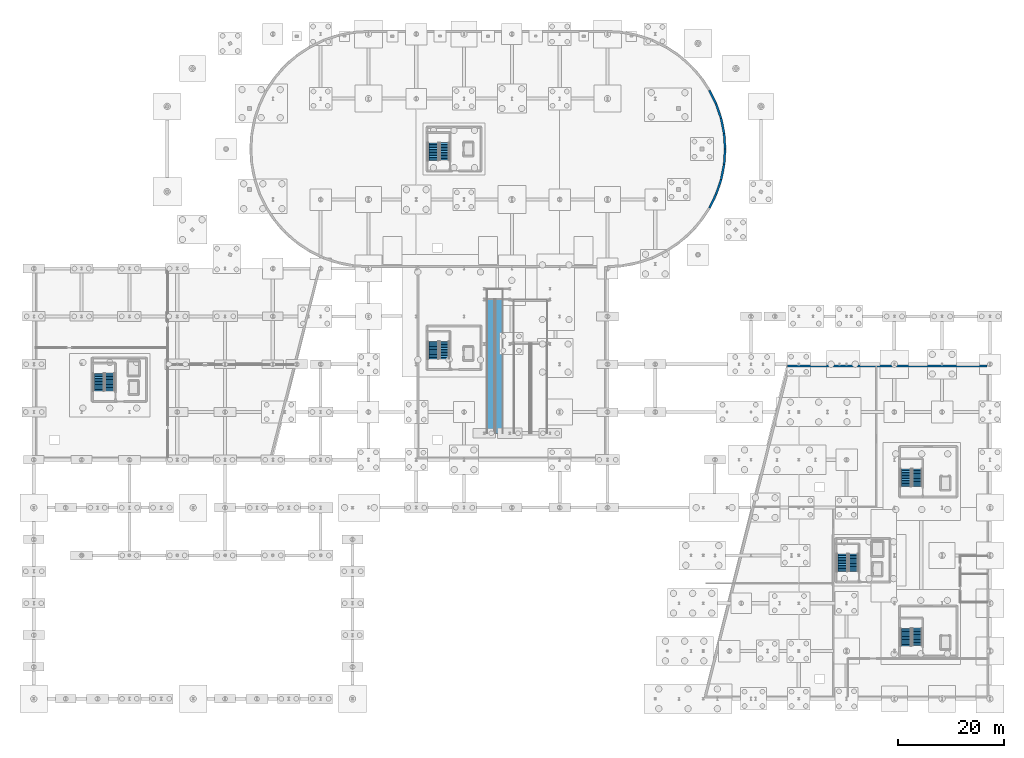
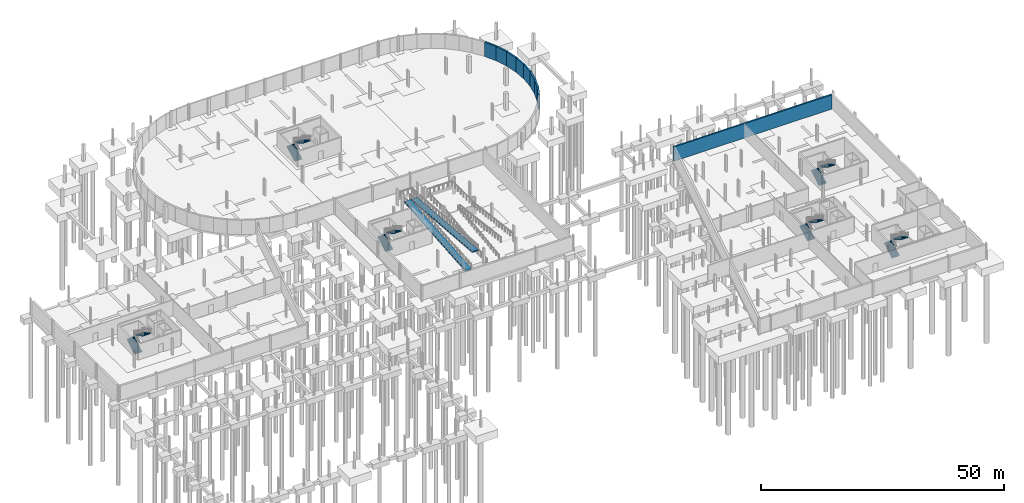
# One storey, part 39 of 42: 12 stair flights, 9 walls, 2 ramp flights, 7 elements without a shape of their own.
"""IFC4 building model written with IfcOpenShell, lengths in metres."""

from ifc_helpers import new_model, si_unit, direction, frame, frame_2d, origin, place, context, subcontext, project, spatial, polyline, rectangle, outline, extrude, material, layer, layer_set, type_object, element, aggregate, save


model = new_model("IFC4")

# Units and contexts
model_context = context("Model", 3, precision=1e-05, world=origin(), true_north=direction((0.0, 1.0)))
body_context = subcontext(model_context, "Body", "Model", "MODEL_VIEW")
ifc_project = project(units=[si_unit("LENGTHUNIT", "METRE"), si_unit("AREAUNIT", "SQUARE_METRE"), si_unit("VOLUMEUNIT", "CUBIC_METRE"), si_unit("PLANEANGLEUNIT", "RADIAN"), si_unit("MASSUNIT", "GRAM", prefix="KILO")], contexts=[model_context])

# Site, building, storey
site_placement = place(None, origin())
site = spatial("IfcSite", under=ifc_project, at=site_placement, CompositionType="ELEMENT")
building_placement = place(site_placement, origin())
building = spatial("IfcBuilding", under=site, at=building_placement, Name="Deido Ridge Mobility Hub", CompositionType="ELEMENT")
storey_placement = place(building_placement, frame((0.0, 0.0, -4.199951171875)))
storey = spatial("IfcBuildingStorey", under=building, at=storey_placement, Name="B1", CompositionType="ELEMENT", Elevation=-4.199951171875)

# Walls
ifc_material_1 = material(Name="Concrete C40/50", Category="concrete")
ifc_layer_1 = layer(ifc_material_1, 0.3798828125, Name="Concrete C40/50")
ifc_layer_set_1 = layer_set([ifc_layer_1], Name="Concrete C40/50")
wall_type = type_object("IfcWallType", Name="WL-RET-RC-380", PredefinedType="USERDEFINED", material=ifc_layer_set_1)
wall_1_placement = place(storey_placement, frame((141.909912109375, 62.64990234375, 0.0), z_axis=(0.0, 0.0, 1.0), x_axis=(1.0, 0.0, 0.0)))
element("IfcWall", 1, at=wall_1_placement, inside=storey, type_object=wall_type, Name="Basement perimeter retaining wall", ObjectType="RETAINING WALL", PredefinedType="USERDEFINED", context=body_context, shape_type="SweptSolid", body=[
    extrude(rectangle(XDim=37.530029296875, YDim=0.3798828125, at=frame_2d((18.76513671875, 0.0))), origin(), (0.0, 0.0, 1.0), 3.599853515625),
])
for number, where, z_axis, x_axis, name in (
    (2, (127.1826171875, 92.425048828125, 0.0), (0.0, 0.0, 1.0), (0.44221820297, 0.896907498554, 0.0), "Basement drum retaining wall"),
    (3, (128.4638671875, 95.023681640625, 0.0), (0.0, 0.0, 1.0), (0.321481211852, 0.946915957425, 0.0), "Basement drum retaining wall"),
):
    element("IfcWall", number, at=place(storey_placement, frame(where, z_axis=z_axis, x_axis=x_axis)), inside=storey, type_object=wall_type, Name=name, ObjectType="RETAINING WALL", PredefinedType="USERDEFINED", context=body_context, shape_type="SweptSolid", body=[
        extrude(rectangle(XDim=2.897216796875, YDim=0.3798828125, at=frame_2d((1.44873046875, 0.0))), origin(), (0.0, 0.0, 1.0), 3.599853515625),
    ])
wall_2_placement = place(storey_placement, frame((129.395263671875, 97.76708984375, 0.0), z_axis=(0.0, 0.0, 1.0), x_axis=(0.195062767323, 0.98079076097, 0.0)))
element("IfcWall", 4, at=wall_2_placement, inside=storey, type_object=wall_type, Name="Basement drum retaining wall", ObjectType="RETAINING WALL", PredefinedType="USERDEFINED", context=body_context, shape_type="SweptSolid", body=[
    extrude(rectangle(XDim=2.8974609375, YDim=0.3798828125, at=frame_2d((1.44873046875, 0.0))), origin(), (0.0, 0.0, 1.0), 3.599853515625),
])
for number, where, z_axis, x_axis, name in (
    (5, (129.96044921875, 100.60888671875, 0.0), (0.0, 0.0, 1.0), (0.065389227447, 0.997859834312, 0.0), "Basement drum retaining wall"),
    (6, (130.14990234375, 103.5, 0.0), (0.0, 0.0, 1.0), (-0.065389227447, 0.997859834312, 0.0), "Basement drum retaining wall"),
):
    element("IfcWall", number, at=place(storey_placement, frame(where, z_axis=z_axis, x_axis=x_axis)), inside=storey, type_object=wall_type, Name=name, ObjectType="RETAINING WALL", PredefinedType="USERDEFINED", context=body_context, shape_type="SweptSolid", body=[
        extrude(rectangle(XDim=2.897216796875, YDim=0.3798828125, at=frame_2d((1.44873046875, 0.0))), origin(), (0.0, 0.0, 1.0), 3.599853515625),
    ])
wall_3_placement = place(storey_placement, frame((129.96044921875, 106.39111328125, 0.0), z_axis=(0.0, 0.0, 1.0), x_axis=(-0.195062767323, 0.98079076097, 0.0)))
element("IfcWall", 7, at=wall_3_placement, inside=storey, type_object=wall_type, Name="Basement drum retaining wall", ObjectType="RETAINING WALL", PredefinedType="USERDEFINED", context=body_context, shape_type="SweptSolid", body=[
    extrude(rectangle(XDim=2.8974609375, YDim=0.3798828125, at=frame_2d((1.44873046875, 0.0))), origin(), (0.0, 0.0, 1.0), 3.599853515625),
])
for number, where, z_axis, x_axis, name in (
    (8, (129.395263671875, 109.23291015625, 0.0), (0.0, 0.0, 1.0), (-0.321481211852, 0.946915957425, 0.0), "Basement drum retaining wall"),
    (9, (128.4638671875, 111.976318359375, 0.0), (0.0, 0.0, 1.0), (-0.44221820297, 0.896907498554, 0.0), "Basement drum retaining wall"),
):
    element("IfcWall", number, at=place(storey_placement, frame(where, z_axis=z_axis, x_axis=x_axis)), inside=storey, type_object=wall_type, Name=name, ObjectType="RETAINING WALL", PredefinedType="USERDEFINED", context=body_context, shape_type="SweptSolid", body=[
        extrude(rectangle(XDim=2.897216796875, YDim=0.3798828125, at=frame_2d((1.44873046875, 0.0))), origin(), (0.0, 0.0, 1.0), 3.599853515625),
    ])

# Stair, stair flights
ifc_material_2 = material(Name="Concrete C35/45", Category="concrete")
stair_type_1 = type_object("IfcStairType", Name="ST-CORE-HALF-1520", PredefinedType="HALF_TURN_STAIR", material=ifc_material_2)
stair_1_placement = place(storey_placement, origin())
stair_1 = element("IfcStair", 10, at=stair_1_placement, inside=storey, type_object=stair_type_1, Name="Protected exit stair ST2 (B1)", PredefinedType="HALF_TURN_STAIR")
stair_flight_type_1 = type_object("IfcStairFlightType", Name="SFL-RC-1520", PredefinedType="STRAIGHT", material=ifc_material_2)
stair_flight_1_placement = place(storey_placement, frame((164.2900390625, 39.949951171875, 0.0), z_axis=(0.0, 0.0, 1.0), x_axis=(0.0, 1.0, 0.0)))
stair_flight_1 = element("IfcStairFlight", 11, at=stair_flight_1_placement, type_object=stair_flight_type_1, Name="ST2 flight 1", NumberOfRisers=12, NumberOfTreads=11, PredefinedType="STRAIGHT", RiserHeight=0.175, TreadLength=0.3, context=body_context, shape_type="SweptSolid", body=[
    extrude(outline(polyline([(0.0, 0.0), (0.0, 0.175048828125), (0.300048828125, 0.175048828125), (0.300048828125, 0.35009765625), (0.60009765625, 0.35009765625), (0.60009765625, 0.52490234375), (0.89990234375, 0.52490234375), (0.89990234375, 0.699951171875), (1.199951171875, 0.699951171875), (1.199951171875, 0.875), (1.5, 0.875), (1.5, 1.050048828125), (1.800048828125, 1.050048828125), (1.800048828125, 1.22509765625), (2.10009765625, 1.22509765625), (2.10009765625, 1.39990234375), (2.39990234375, 1.39990234375), (2.39990234375, 1.574951171875), (2.699951171875, 1.574951171875), (2.699951171875, 1.75), (3.0, 1.75), (3.0, 1.925048828125), (3.300048828125, 1.925048828125), (3.300048828125, 2.10009765625), (3.300048828125, 1.716796875), (0.357177734375, 0.0), (0.0, 0.0)])), frame((0.0, 0.89013671875, 0.0), z_axis=(0.0, -1.0, 0.0), x_axis=(1.0, 0.0, 0.0)), (0.0, 0.0, 1.0), 1.780029296875),
])
stair_flight_2_placement = place(storey_placement, frame((166.31005859375, 43.300048828125, 2.099853515625), z_axis=(0.0, 0.0, 1.0), x_axis=(0.0, -1.0, 0.0)))
stair_flight_2 = element("IfcStairFlight", 12, at=stair_flight_2_placement, type_object=stair_flight_type_1, Name="ST2 flight 2", NumberOfRisers=12, NumberOfTreads=11, PredefinedType="STRAIGHT", RiserHeight=0.175, TreadLength=0.3, context=body_context, shape_type="SweptSolid", body=[
    extrude(outline(polyline([(0.0, 0.0), (0.0, 0.175048828125), (0.300048828125, 0.175048828125), (0.300048828125, 0.35009765625), (0.60009765625, 0.35009765625), (0.60009765625, 0.52490234375), (0.89990234375, 0.52490234375), (0.89990234375, 0.699951171875), (1.199951171875, 0.699951171875), (1.199951171875, 0.875), (1.5, 0.875), (1.5, 1.050048828125), (1.800048828125, 1.050048828125), (1.800048828125, 1.22509765625), (2.10009765625, 1.22509765625), (2.10009765625, 1.39990234375), (2.39990234375, 1.39990234375), (2.39990234375, 1.574951171875), (2.699951171875, 1.574951171875), (2.699951171875, 1.75), (3.0, 1.75), (3.0, 1.925048828125), (3.300048828125, 1.925048828125), (3.300048828125, 2.10009765625), (3.300048828125, 1.716796875), (0.357177734375, 0.0), (0.0, 0.0)])), frame((0.0, 0.89013671875, 0.0), z_axis=(0.0, -1.0, 0.0), x_axis=(1.0, 0.0, 0.0)), (0.0, 0.0, 1.0), 1.780029296875),
])
aggregate(stair_1, [stair_flight_1, stair_flight_2])

stair_2_placement = place(storey_placement, origin())
stair_2 = element("IfcStair", 13, at=stair_2_placement, inside=storey, type_object=stair_type_1, Name="Protected exit stair ST3 (B1)", PredefinedType="HALF_TURN_STAIR")
stair_flight_3_placement = place(storey_placement, frame((152.2900390625, 23.949951171875, 0.0), z_axis=(0.0, 0.0, 1.0), x_axis=(0.0, 1.0, 0.0)))
stair_flight_3 = element("IfcStairFlight", 14, at=stair_flight_3_placement, type_object=stair_flight_type_1, Name="ST3 flight 1", NumberOfRisers=12, NumberOfTreads=11, PredefinedType="STRAIGHT", RiserHeight=0.175, TreadLength=0.3, context=body_context, shape_type="SweptSolid", body=[
    extrude(outline(polyline([(0.0, 0.0), (0.0, 0.175048828125), (0.300048828125, 0.175048828125), (0.300048828125, 0.35009765625), (0.60009765625, 0.35009765625), (0.60009765625, 0.52490234375), (0.89990234375, 0.52490234375), (0.89990234375, 0.699951171875), (1.199951171875, 0.699951171875), (1.199951171875, 0.875), (1.5, 0.875), (1.5, 1.050048828125), (1.800048828125, 1.050048828125), (1.800048828125, 1.22509765625), (2.10009765625, 1.22509765625), (2.10009765625, 1.39990234375), (2.39990234375, 1.39990234375), (2.39990234375, 1.574951171875), (2.699951171875, 1.574951171875), (2.699951171875, 1.75), (3.0, 1.75), (3.0, 1.925048828125), (3.300048828125, 1.925048828125), (3.300048828125, 2.10009765625), (3.300048828125, 1.716796875), (0.357177734375, 0.0), (0.0, 0.0)])), frame((0.0, 0.89013671875, 0.0), z_axis=(0.0, -1.0, 0.0), x_axis=(1.0, 0.0, 0.0)), (0.0, 0.0, 1.0), 1.780029296875),
])
stair_flight_4_placement = place(storey_placement, frame((154.31005859375, 27.300048828125, 2.099853515625), z_axis=(0.0, 0.0, 1.0), x_axis=(0.0, -1.0, 0.0)))
stair_flight_4 = element("IfcStairFlight", 15, at=stair_flight_4_placement, type_object=stair_flight_type_1, Name="ST3 flight 2", NumberOfRisers=12, NumberOfTreads=11, PredefinedType="STRAIGHT", RiserHeight=0.175, TreadLength=0.3, context=body_context, shape_type="SweptSolid", body=[
    extrude(outline(polyline([(0.0, 0.0), (0.0, 0.175048828125), (0.300048828125, 0.175048828125), (0.300048828125, 0.35009765625), (0.60009765625, 0.35009765625), (0.60009765625, 0.52490234375), (0.89990234375, 0.52490234375), (0.89990234375, 0.699951171875), (1.199951171875, 0.699951171875), (1.199951171875, 0.875), (1.5, 0.875), (1.5, 1.050048828125), (1.800048828125, 1.050048828125), (1.800048828125, 1.22509765625), (2.10009765625, 1.22509765625), (2.10009765625, 1.39990234375), (2.39990234375, 1.39990234375), (2.39990234375, 1.574951171875), (2.699951171875, 1.574951171875), (2.699951171875, 1.75), (3.0, 1.75), (3.0, 1.925048828125), (3.300048828125, 1.925048828125), (3.300048828125, 2.10009765625), (3.300048828125, 1.716796875), (0.357177734375, 0.0), (0.0, 0.0)])), frame((0.0, 0.89013671875, 0.0), z_axis=(0.0, -1.0, 0.0), x_axis=(1.0, 0.0, 0.0)), (0.0, 0.0, 1.0), 1.780029296875),
])
aggregate(stair_2, [stair_flight_3, stair_flight_4])

stair_type_2 = type_object("IfcStairType", Name="ST-CORE-DBL-1520", PredefinedType="DOUBLE_RETURN_STAIR", material=ifc_material_2)
stair_3_placement = place(storey_placement, origin())
stair_3 = element("IfcStair", 16, at=stair_3_placement, inside=storey, type_object=stair_type_2, Name="Protected exit stair ST4 (B1)", PredefinedType="DOUBLE_RETURN_STAIR")
stair_flight_5_placement = place(storey_placement, frame((75.2900390625, 63.949951171875, 0.0), z_axis=(0.0, 0.0, 1.0), x_axis=(0.0, 1.0, 0.0)))
stair_flight_5 = element("IfcStairFlight", 17, at=stair_flight_5_placement, type_object=stair_flight_type_1, Name="ST4 flight 1", NumberOfRisers=12, NumberOfTreads=11, PredefinedType="STRAIGHT", RiserHeight=0.175, TreadLength=0.3, context=body_context, shape_type="SweptSolid", body=[
    extrude(outline(polyline([(0.0, 0.0), (0.0, 0.175048828125), (0.300048828125, 0.175048828125), (0.300048828125, 0.35009765625), (0.60009765625, 0.35009765625), (0.60009765625, 0.52490234375), (0.89990234375, 0.52490234375), (0.89990234375, 0.699951171875), (1.199951171875, 0.699951171875), (1.199951171875, 0.875), (1.5, 0.875), (1.5, 1.050048828125), (1.800048828125, 1.050048828125), (1.800048828125, 1.22509765625), (2.10009765625, 1.22509765625), (2.10009765625, 1.39990234375), (2.39990234375, 1.39990234375), (2.39990234375, 1.574951171875), (2.699951171875, 1.574951171875), (2.699951171875, 1.75), (3.0, 1.75), (3.0, 1.925048828125), (3.300048828125, 1.925048828125), (3.300048828125, 2.10009765625), (3.300048828125, 1.716796875), (0.357177734375, 0.0), (0.0, 0.0)])), frame((0.0, 0.89013671875, 0.0), z_axis=(0.0, -1.0, 0.0), x_axis=(1.0, 0.0, 0.0)), (0.0, 0.0, 1.0), 1.780029296875),
])
stair_flight_6_placement = place(storey_placement, frame((77.31005859375, 67.300048828125, 2.099853515625), z_axis=(0.0, 0.0, 1.0), x_axis=(0.0, -1.0, 0.0)))
stair_flight_6 = element("IfcStairFlight", 18, at=stair_flight_6_placement, type_object=stair_flight_type_1, Name="ST4 flight 2", NumberOfRisers=12, NumberOfTreads=11, PredefinedType="STRAIGHT", RiserHeight=0.175, TreadLength=0.3, context=body_context, shape_type="SweptSolid", body=[
    extrude(outline(polyline([(0.0, 0.0), (0.0, 0.175048828125), (0.300048828125, 0.175048828125), (0.300048828125, 0.35009765625), (0.60009765625, 0.35009765625), (0.60009765625, 0.52490234375), (0.89990234375, 0.52490234375), (0.89990234375, 0.699951171875), (1.199951171875, 0.699951171875), (1.199951171875, 0.875), (1.5, 0.875), (1.5, 1.050048828125), (1.800048828125, 1.050048828125), (1.800048828125, 1.22509765625), (2.10009765625, 1.22509765625), (2.10009765625, 1.39990234375), (2.39990234375, 1.39990234375), (2.39990234375, 1.574951171875), (2.699951171875, 1.574951171875), (2.699951171875, 1.75), (3.0, 1.75), (3.0, 1.925048828125), (3.300048828125, 1.925048828125), (3.300048828125, 2.10009765625), (3.300048828125, 1.716796875), (0.357177734375, 0.0), (0.0, 0.0)])), frame((0.0, 0.89013671875, 0.0), z_axis=(0.0, -1.0, 0.0), x_axis=(1.0, 0.0, 0.0)), (0.0, 0.0, 1.0), 1.780029296875),
])
aggregate(stair_3, [stair_flight_5, stair_flight_6])

stair_4_placement = place(storey_placement, origin())
stair_4 = element("IfcStair", 19, at=stair_4_placement, inside=storey, type_object=stair_type_2, Name="Protected exit stair ST5 (B1)", PredefinedType="DOUBLE_RETURN_STAIR")
stair_flight_7_placement = place(storey_placement, frame((75.2900390625, 101.35009765625, 0.0), z_axis=(0.0, 0.0, 1.0), x_axis=(0.0, 1.0, 0.0)))
stair_flight_7 = element("IfcStairFlight", 20, at=stair_flight_7_placement, type_object=stair_flight_type_1, Name="ST5 flight 1", NumberOfRisers=12, NumberOfTreads=11, PredefinedType="STRAIGHT", RiserHeight=0.175, TreadLength=0.3, context=body_context, shape_type="SweptSolid", body=[
    extrude(outline(polyline([(0.0, 0.0), (0.0, 0.175048828125), (0.300048828125, 0.175048828125), (0.300048828125, 0.35009765625), (0.60009765625, 0.35009765625), (0.60009765625, 0.52490234375), (0.89990234375, 0.52490234375), (0.89990234375, 0.699951171875), (1.199951171875, 0.699951171875), (1.199951171875, 0.875), (1.5, 0.875), (1.5, 1.050048828125), (1.800048828125, 1.050048828125), (1.800048828125, 1.22509765625), (2.10009765625, 1.22509765625), (2.10009765625, 1.39990234375), (2.39990234375, 1.39990234375), (2.39990234375, 1.574951171875), (2.699951171875, 1.574951171875), (2.699951171875, 1.75), (3.0, 1.75), (3.0, 1.925048828125), (3.300048828125, 1.925048828125), (3.300048828125, 2.10009765625), (3.300048828125, 1.716796875), (0.357177734375, 0.0), (0.0, 0.0)])), frame((0.0, 0.89013671875, 0.0), z_axis=(0.0, -1.0, 0.0), x_axis=(1.0, 0.0, 0.0)), (0.0, 0.0, 1.0), 1.780029296875),
])
stair_flight_8_placement = place(storey_placement, frame((77.31005859375, 104.699951171875, 2.099853515625), z_axis=(0.0, 0.0, 1.0), x_axis=(0.0, -1.0, 0.0)))
stair_flight_8 = element("IfcStairFlight", 21, at=stair_flight_8_placement, type_object=stair_flight_type_1, Name="ST5 flight 2", NumberOfRisers=12, NumberOfTreads=11, PredefinedType="STRAIGHT", RiserHeight=0.175, TreadLength=0.3, context=body_context, shape_type="SweptSolid", body=[
    extrude(outline(polyline([(0.0, 0.0), (0.0, 0.175048828125), (0.300048828125, 0.175048828125), (0.300048828125, 0.35009765625), (0.60009765625, 0.35009765625), (0.60009765625, 0.52490234375), (0.89990234375, 0.52490234375), (0.89990234375, 0.699951171875), (1.199951171875, 0.699951171875), (1.199951171875, 0.875), (1.5, 0.875), (1.5, 1.050048828125), (1.800048828125, 1.050048828125), (1.800048828125, 1.22509765625), (2.10009765625, 1.22509765625), (2.10009765625, 1.39990234375), (2.39990234375, 1.39990234375), (2.39990234375, 1.574951171875), (2.699951171875, 1.574951171875), (2.699951171875, 1.75), (3.0, 1.75), (3.0, 1.925048828125), (3.300048828125, 1.925048828125), (3.300048828125, 2.10009765625), (3.300048828125, 1.716796875), (0.357177734375, 0.0), (0.0, 0.0)])), frame((0.0, 0.89013671875, 0.0), z_axis=(0.0, -1.0, 0.0), x_axis=(1.0, 0.0, 0.0)), (0.0, 0.0, 1.0), 1.780029296875),
])
aggregate(stair_4, [stair_flight_7, stair_flight_8])

stair_5_placement = place(storey_placement, origin())
stair_5 = element("IfcStair", 22, at=stair_5_placement, inside=storey, type_object=stair_type_1, Name="Protected exit stair ST6 (B1)", PredefinedType="HALF_TURN_STAIR")
stair_flight_9_placement = place(storey_placement, frame((12.2900390625, 57.949951171875, 0.0), z_axis=(0.0, 0.0, 1.0), x_axis=(0.0, 1.0, 0.0)))
stair_flight_9 = element("IfcStairFlight", 23, at=stair_flight_9_placement, type_object=stair_flight_type_1, Name="ST6 flight 1", NumberOfRisers=12, NumberOfTreads=11, PredefinedType="STRAIGHT", RiserHeight=0.175, TreadLength=0.3, context=body_context, shape_type="SweptSolid", body=[
    extrude(outline(polyline([(0.0, 0.0), (0.0, 0.175048828125), (0.300048828125, 0.175048828125), (0.300048828125, 0.35009765625), (0.60009765625, 0.35009765625), (0.60009765625, 0.52490234375), (0.89990234375, 0.52490234375), (0.89990234375, 0.699951171875), (1.199951171875, 0.699951171875), (1.199951171875, 0.875), (1.5, 0.875), (1.5, 1.050048828125), (1.800048828125, 1.050048828125), (1.800048828125, 1.22509765625), (2.10009765625, 1.22509765625), (2.10009765625, 1.39990234375), (2.39990234375, 1.39990234375), (2.39990234375, 1.574951171875), (2.699951171875, 1.574951171875), (2.699951171875, 1.75), (3.0, 1.75), (3.0, 1.925048828125), (3.300048828125, 1.925048828125), (3.300048828125, 2.10009765625), (3.300048828125, 1.716796875), (0.357177734375, 0.0), (0.0, 0.0)])), frame((0.0, 0.89013671875, 0.0), z_axis=(0.0, -1.0, 0.0), x_axis=(1.0, 0.0, 0.0)), (0.0, 0.0, 1.0), 1.780029296875),
])
stair_flight_10_placement = place(storey_placement, frame((14.31005859375, 61.300048828125, 2.099853515625), z_axis=(0.0, 0.0, 1.0), x_axis=(0.0, -1.0, 0.0)))
stair_flight_10 = element("IfcStairFlight", 24, at=stair_flight_10_placement, type_object=stair_flight_type_1, Name="ST6 flight 2", NumberOfRisers=12, NumberOfTreads=11, PredefinedType="STRAIGHT", RiserHeight=0.175, TreadLength=0.3, context=body_context, shape_type="SweptSolid", body=[
    extrude(outline(polyline([(0.0, 0.0), (0.0, 0.175048828125), (0.300048828125, 0.175048828125), (0.300048828125, 0.35009765625), (0.60009765625, 0.35009765625), (0.60009765625, 0.52490234375), (0.89990234375, 0.52490234375), (0.89990234375, 0.699951171875), (1.199951171875, 0.699951171875), (1.199951171875, 0.875), (1.5, 0.875), (1.5, 1.050048828125), (1.800048828125, 1.050048828125), (1.800048828125, 1.22509765625), (2.10009765625, 1.22509765625), (2.10009765625, 1.39990234375), (2.39990234375, 1.39990234375), (2.39990234375, 1.574951171875), (2.699951171875, 1.574951171875), (2.699951171875, 1.75), (3.0, 1.75), (3.0, 1.925048828125), (3.300048828125, 1.925048828125), (3.300048828125, 2.10009765625), (3.300048828125, 1.716796875), (0.357177734375, 0.0), (0.0, 0.0)])), frame((0.0, 0.89013671875, 0.0), z_axis=(0.0, -1.0, 0.0), x_axis=(1.0, 0.0, 0.0)), (0.0, 0.0, 1.0), 1.780029296875),
])
aggregate(stair_5, [stair_flight_9, stair_flight_10])

stair_6_placement = place(storey_placement, origin())
stair_6 = element("IfcStair", 25, at=stair_6_placement, inside=storey, type_object=stair_type_1, Name="Protected exit stair ST1 (B1)", PredefinedType="HALF_TURN_STAIR")
stair_flight_type_2 = type_object("IfcStairFlightType", Name="SFL-RC-1560", PredefinedType="STRAIGHT", material=ifc_material_2)
stair_flight_11_placement = place(storey_placement, frame((164.2900390625, 9.949951171875, 0.0), z_axis=(0.0, 0.0, 1.0), x_axis=(0.0, 1.0, 0.0)))
stair_flight_11 = element("IfcStairFlight", 26, at=stair_flight_11_placement, type_object=stair_flight_type_2, Name="ST1 flight 1", NumberOfRisers=12, NumberOfTreads=11, PredefinedType="STRAIGHT", RiserHeight=0.175, TreadLength=0.3, context=body_context, shape_type="SweptSolid", body=[
    extrude(outline(polyline([(0.0, 0.0), (0.0, 0.175048828125), (0.300048828125, 0.175048828125), (0.300048828125, 0.35009765625), (0.60009765625, 0.35009765625), (0.60009765625, 0.52490234375), (0.89990234375, 0.52490234375), (0.89990234375, 0.699951171875), (1.199951171875, 0.699951171875), (1.199951171875, 0.875), (1.5, 0.875), (1.5, 1.050048828125), (1.800048828125, 1.050048828125), (1.800048828125, 1.22509765625), (2.10009765625, 1.22509765625), (2.10009765625, 1.39990234375), (2.39990234375, 1.39990234375), (2.39990234375, 1.574951171875), (2.699951171875, 1.574951171875), (2.699951171875, 1.75), (3.0, 1.75), (3.0, 1.925048828125), (3.300048828125, 1.925048828125), (3.300048828125, 2.10009765625), (3.300048828125, 1.716796875), (0.357177734375, 0.0), (0.0, 0.0)])), frame((0.0, 0.89013671875, 0.0), z_axis=(0.0, -1.0, 0.0), x_axis=(1.0, 0.0, 0.0)), (0.0, 0.0, 1.0), 1.780029296875),
])
stair_flight_12_placement = place(storey_placement, frame((166.31005859375, 13.300048828125, 2.099853515625), z_axis=(0.0, 0.0, 1.0), x_axis=(0.0, -1.0, 0.0)))
stair_flight_12 = element("IfcStairFlight", 27, at=stair_flight_12_placement, type_object=stair_flight_type_2, Name="ST1 flight 2", NumberOfRisers=12, NumberOfTreads=11, PredefinedType="STRAIGHT", RiserHeight=0.175, TreadLength=0.3, context=body_context, shape_type="SweptSolid", body=[
    extrude(outline(polyline([(0.0, 0.0), (0.0, 0.175048828125), (0.300048828125, 0.175048828125), (0.300048828125, 0.35009765625), (0.60009765625, 0.35009765625), (0.60009765625, 0.52490234375), (0.89990234375, 0.52490234375), (0.89990234375, 0.699951171875), (1.199951171875, 0.699951171875), (1.199951171875, 0.875), (1.5, 0.875), (1.5, 1.050048828125), (1.800048828125, 1.050048828125), (1.800048828125, 1.22509765625), (2.10009765625, 1.22509765625), (2.10009765625, 1.39990234375), (2.39990234375, 1.39990234375), (2.39990234375, 1.574951171875), (2.699951171875, 1.574951171875), (2.699951171875, 1.75), (3.0, 1.75), (3.0, 1.925048828125), (3.300048828125, 1.925048828125), (3.300048828125, 2.10009765625), (3.300048828125, 1.716796875), (0.357177734375, 0.0), (0.0, 0.0)])), frame((0.0, 0.89013671875, 0.0), z_axis=(0.0, -1.0, 0.0), x_axis=(1.0, 0.0, 0.0)), (0.0, 0.0, 1.0), 1.780029296875),
])
aggregate(stair_6, [stair_flight_11, stair_flight_12])

# Ramp, ramp flights
ramp_type = type_object("IfcRampType", Name="RAMP-CYC-STRAIGHT", PredefinedType="STRAIGHT_RUN_RAMP", material=ifc_material_2)
ramp_placement = place(storey_placement, origin())
ramp = element("IfcRamp", 28, at=ramp_placement, inside=storey, type_object=ramp_type, Name="Cycle and accessible ramp CR1 B1", PredefinedType="STRAIGHT_RUN_RAMP")
ifc_layer_2 = layer(ifc_material_2, 0.284912109375, Name="Concrete C35/45")
ifc_layer_set_2 = layer_set([ifc_layer_2], Name="Concrete C35/45")
ramp_flight_type = type_object("IfcRampFlightType", Name="RFL-CYC-220", PredefinedType="STRAIGHT", material=ifc_layer_set_2)
ramp_flight_1_placement = place(storey_placement, frame((86.0, 50.0, 0.0), z_axis=(0.0, 0.0, 1.0), x_axis=(0.0, 1.0, 0.0)))
ramp_flight_1 = element("IfcRampFlight", 29, at=ramp_flight_1_placement, type_object=ramp_flight_type, Name="Cycle ramp flight B1-1", PredefinedType="STRAIGHT", context=body_context, shape_type="SweptSolid", body=[
    extrude(outline(polyline([(0.0, 0.0), (0.0, -0.284912109375), (25.199951171875, 1.815185546875), (25.199951171875, 2.10009765625), (0.0, 0.0)])), frame((0.0, 0.72509765625, 0.0), z_axis=(0.0, -1.0, 0.0), x_axis=(1.0, 0.0, 0.0)), (0.0, 0.0, 1.0), 1.449951171875),
])
ramp_flight_2_placement = place(storey_placement, frame((87.60009765625, 75.199951171875, 2.099853515625), z_axis=(0.0, 0.0, 1.0), x_axis=(0.0, -1.0, 0.0)))
ramp_flight_2 = element("IfcRampFlight", 30, at=ramp_flight_2_placement, type_object=ramp_flight_type, Name="Cycle ramp flight B1-2", PredefinedType="STRAIGHT", context=body_context, shape_type="SweptSolid", body=[
    extrude(outline(polyline([(0.0, 0.0), (0.0, -0.284912109375), (25.199951171875, 1.815185546875), (25.199951171875, 2.10009765625), (0.0, 0.0)])), frame((0.0, 0.72509765625, 0.0), z_axis=(0.0, -1.0, 0.0), x_axis=(1.0, 0.0, 0.0)), (0.0, 0.0, 1.0), 1.449951171875),
])
aggregate(ramp, [ramp_flight_1, ramp_flight_2])

save(model, "model.ifc")
